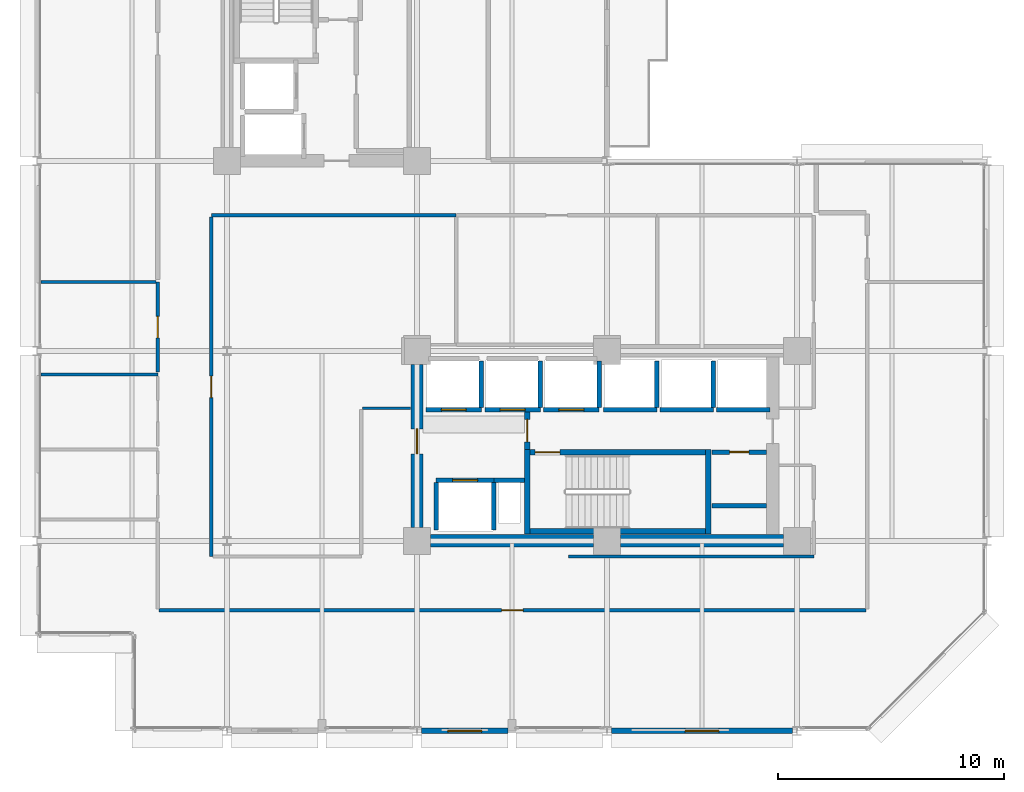
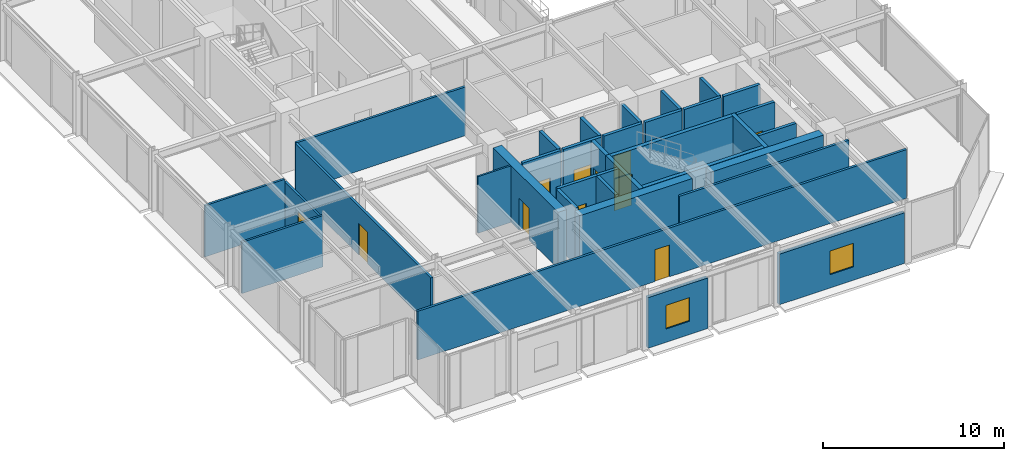
# One storey, part 24 of 30: 35 walls, 11 doors, 2 windows, 13 openings.
"""IFC4 building model written with IfcOpenShell, lengths in metres."""

from ifc_helpers import new_model, si_unit, direction, frame, frame_2d, origin, place, context, subcontext, project, spatial, rectangle, extrude, material, layer, layer_set, type_object, element, fill, save


model = new_model("IFC4")

# Units and contexts
model_context = context("Model", 3, precision=1e-05, world=origin(), true_north=direction((0.0, 1.0)))
body_context = subcontext(model_context, "Body", "Model", "MODEL_VIEW")
ifc_project = project(units=[si_unit("LENGTHUNIT", "METRE"), si_unit("AREAUNIT", "SQUARE_METRE"), si_unit("VOLUMEUNIT", "CUBIC_METRE"), si_unit("PLANEANGLEUNIT", "RADIAN"), si_unit("MASSUNIT", "GRAM", prefix="KILO")], contexts=[model_context])

# Site, building, storey
site_placement = place(None, origin())
site = spatial("IfcSite", under=ifc_project, at=site_placement, CompositionType="ELEMENT")
building_placement = place(site_placement, origin())
building = spatial("IfcBuilding", under=site, at=building_placement, Name="Nerrivon Quay Data Exchange", CompositionType="ELEMENT")
storey_placement = place(building_placement, frame((0.0, 0.0, 141.800048828125)))
storey = spatial("IfcBuildingStorey", under=building, at=storey_placement, Name="L33", CompositionType="ELEMENT", Elevation=141.800048828125)

# Wall, opening, window
ifc_material_1 = material(Name="Architectural terracotta precast concrete N50 (50 MPa)", Category="masonry")
ifc_layer_1 = layer(ifc_material_1, 0.239990234375)
ifc_layer_set_1 = layer_set([ifc_layer_1], Name="Architectural terracotta precast concrete N50 (50 MPa)")
wall_type_1 = type_object("IfcWallType", Name="EW-PREC-240", PredefinedType="STANDARD", material=ifc_layer_set_1)
wall_1_placement = place(storey_placement, frame((33.39990234375, 0.0, 0.0), z_axis=(0.0, 0.0, 1.0), x_axis=(-1.0, 0.0, 0.0)))
wall_1 = element("IfcWall", 1, at=wall_1_placement, inside=storey, type_object=wall_type_1, Name="L33 Podium Precast Spandrel Wall 3", PredefinedType="STANDARD", context=body_context, shape_type="SweptSolid", body=[
    extrude(rectangle(XDim=8.0, YDim=0.239990234375, at=frame_2d((4.0, 0.0))), origin(), (0.0, 0.0, 1.0), 3.421875),
])
opening_1_placement = place(wall_1_placement, frame((3.25, 0.0, 0.89990234375)))
opening_1 = element("IfcOpeningElement", 2, at=opening_1_placement, cuts=wall_1, Name="Opening WN4", PredefinedType="OPENING", context=body_context, shape_type="SweptSolid", body=[
    extrude(rectangle(XDim=1.5, YDim=1.60009765625, at=frame_2d((0.75, 0.800048828125))), frame((0.0, 0.1298828125, 0.0), z_axis=(0.0, -1.0, 0.0), x_axis=(1.0, 0.0, 0.0)), (0.0, 0.0, 1.0), 0.260009765625),
])
ifc_material_2 = material(Name="Double-glazed low-E solar control glass", Category="glass")
window_type = type_object("IfcWindowType", Name="WIN-W4-1500x1600", PartitioningType="SINGLE_PANEL", PredefinedType="WINDOW", material=ifc_material_2)
window_1_placement = place(opening_1_placement, origin())
window_1 = element("IfcWindow", 3, at=window_1_placement, inside=storey, type_object=window_type, Name="L33 Solar Facade Window 3", OverallHeight=1.60009765625, OverallWidth=1.5, PartitioningType="SINGLE_PANEL", PredefinedType="WINDOW", context=body_context, shape_type="SweptSolid", body=[
    extrude(rectangle(XDim=1.5, YDim=1.60009765625, at=frame_2d((0.75, 0.800048828125))), frame((0.0, 0.030029296875, 0.0), z_axis=(0.0, -1.0, 0.0), x_axis=(1.0, 0.0, 0.0)), (0.0, 0.0, 1.0), 0.06005859375),
])
fill(opening_1, window_1)

wall_2_placement = place(storey_placement, frame((20.824951171875, 0.0, 0.0), z_axis=(0.0, 0.0, 1.0), x_axis=(-1.0, 0.0, 0.0)))
wall_2 = element("IfcWall", 4, at=wall_2_placement, inside=storey, type_object=wall_type_1, Name="L33 Podium Precast Spandrel Wall 5", PredefinedType="STANDARD", context=body_context, shape_type="SweptSolid", body=[
    extrude(rectangle(XDim=3.824951171875, YDim=0.239990234375, at=frame_2d((1.91259765625, 0.0))), origin(), (0.0, 0.0, 1.0), 3.421875),
])
opening_2_placement = place(wall_2_placement, frame((1.16259765625, 0.0, 0.89990234375)))
opening_2 = element("IfcOpeningElement", 5, at=opening_2_placement, cuts=wall_2, Name="Opening WN4", PredefinedType="OPENING", context=body_context, shape_type="SweptSolid", body=[
    extrude(rectangle(XDim=1.5, YDim=1.60009765625, at=frame_2d((0.75, 0.800048828125))), frame((0.0, 0.1298828125, 0.0), z_axis=(0.0, -1.0, 0.0), x_axis=(1.0, 0.0, 0.0)), (0.0, 0.0, 1.0), 0.260009765625),
])
window_2_placement = place(opening_2_placement, origin())
window_2 = element("IfcWindow", 6, at=window_2_placement, inside=storey, type_object=window_type, Name="L33 Solar Facade Window 5", OverallHeight=1.60009765625, OverallWidth=1.5, PartitioningType="SINGLE_PANEL", PredefinedType="WINDOW", context=body_context, shape_type="SweptSolid", body=[
    extrude(rectangle(XDim=1.5, YDim=1.60009765625, at=frame_2d((0.75, 0.800048828125))), frame((0.0, 0.030029296875, 0.0), z_axis=(0.0, -1.0, 0.0), x_axis=(1.0, 0.0, 0.0)), (0.0, 0.0, 1.0), 0.06005859375),
])
fill(opening_2, window_2)

# Walls
ifc_material_3 = material(Name="Concrete S65 (65 MPa)", Category="concrete")
ifc_layer_2 = layer(ifc_material_3, 0.550048828125)
ifc_layer_set_2 = layer_set([ifc_layer_2], Name="Concrete S65 (65 MPa)")
wall_type_2 = type_object("IfcWallType", Name="WALL-CW-700", PredefinedType="SHEAR", material=ifc_layer_set_2)
wall_3_placement = place(storey_placement, frame((17.39990234375, 8.39990234375, 0.0), z_axis=(0.0, 0.0, 1.0), x_axis=(1.0, 0.0, 0.0)))
element("IfcWall", 7, at=wall_3_placement, inside=storey, type_object=wall_type_2, Name="L33 East Split-Core Shear Wall ECW-S1", PredefinedType="SHEAR", context=body_context, shape_type="SweptSolid", body=[
    extrude(rectangle(XDim=7.2001953125, YDim=0.550048828125, at=frame_2d((3.60009765625, 0.0))), origin(), (0.0, 0.0, 1.0), 3.824951171875),
])
wall_4_placement = place(storey_placement, frame((25.800048828125, 8.39990234375, 0.0), z_axis=(0.0, 0.0, 1.0), x_axis=(1.0, 0.0, 0.0)))
element("IfcWall", 8, at=wall_4_placement, inside=storey, type_object=wall_type_2, Name="L33 East Split-Core Shear Wall ECW-S2", PredefinedType="SHEAR", context=body_context, shape_type="SweptSolid", body=[
    extrude(rectangle(XDim=7.199951171875, YDim=0.550048828125, at=frame_2d((3.60009765625, 0.0))), origin(), (0.0, 0.0, 1.0), 3.824951171875),
])

# Wall, opening, door
wall_5_placement = place(storey_placement, frame((16.800048828125, 9.0, 0.0), z_axis=(0.0, 0.0, 1.0), x_axis=(0.0, 1.0, 0.0)))
wall_5 = element("IfcWall", 9, at=wall_5_placement, inside=storey, type_object=wall_type_2, Name="L33 East Split-Core Shear Wall ECW-W1", PredefinedType="SHEAR", context=body_context, shape_type="SweptSolid", body=[
    extrude(rectangle(XDim=7.199951171875, YDim=0.550048828125, at=frame_2d((3.60009765625, 0.0))), origin(), (0.0, 0.0, 1.0), 3.824951171875),
])
opening_3_placement = place(wall_5_placement, frame((3.25, 0.0, 0.0)))
opening_3 = element("IfcOpeningElement", 10, at=opening_3_placement, cuts=wall_5, Name="Opening FD-120", PredefinedType="OPENING", context=body_context, shape_type="SweptSolid", body=[
    extrude(rectangle(XDim=1.10009765625, YDim=2.14990234375, at=frame_2d((0.550048828125, 1.074951171875))), frame((0.0, 0.284912109375, 0.0), z_axis=(0.0, -1.0, 0.0), x_axis=(1.0, 0.0, 0.0)), (0.0, 0.0, 1.0), 0.570068359375),
])
ifc_material_4 = material(Name="Powder-coated galvanized steel sheet", Category="steel")
door_type_1 = type_object("IfcDoorType", Name="DR-FD120-1100", OperationType="NOTDEFINED", PredefinedType="DOOR", material=ifc_material_4)
door_1_placement = place(opening_3_placement, origin())
door_1 = element("IfcDoor", 11, at=door_1_placement, inside=storey, type_object=door_type_1, Name="L33 East Core Lobby Fire Door", OperationType="SINGLE_SWING_RIGHT", OverallHeight=2.14990234375, OverallWidth=1.10009765625, PredefinedType="DOOR", context=body_context, shape_type="SweptSolid", body=[
    extrude(rectangle(XDim=1.10009765625, YDim=2.14990234375, at=frame_2d((0.550048828125, 1.074951171875))), frame((0.0, 0.02490234375, 0.0), z_axis=(0.0, -1.0, 0.0), x_axis=(1.0, 0.0, 0.0)), (0.0, 0.0, 1.0), 0.050048828125),
])
fill(opening_3, door_1)

# Wall
ifc_material_5 = material(Name="Gypsum plasterboard on cold-formed framing", Category="gypsum")
ifc_layer_3 = layer(ifc_material_5, 0.199951171875)
ifc_layer_set_3 = layer_set([ifc_layer_3], Name="Gypsum plasterboard on cold-formed framing")
wall_type_3 = type_object("IfcWallType", Name="WALL-FW-200", PredefinedType="PARTITIONING", material=ifc_layer_set_3)
wall_6_placement = place(storey_placement, frame((20.199951171875, 11.080078125, 0.0), z_axis=(0.0, 0.0, 1.0), x_axis=(1.0, 0.0, 0.0)))
element("IfcWall", 12, at=wall_6_placement, inside=storey, type_object=wall_type_3, Name="L33 East Core MEP Riser Shaft Wall N", PredefinedType="PARTITIONING", context=body_context, shape_type="SweptSolid", body=[
    extrude(rectangle(XDim=1.35009765625, YDim=0.199951171875, at=frame_2d((0.675048828125, 0.0))), origin(), (0.0, 0.0, 1.0), 3.824951171875),
])

# Wall, opening, door
wall_7_placement = place(storey_placement, frame((17.64990234375, 11.080078125, 0.0), z_axis=(0.0, 0.0, 1.0), x_axis=(1.0, 0.0, 0.0)))
wall_7 = element("IfcWall", 13, at=wall_7_placement, inside=storey, type_object=wall_type_3, Name="L33 Lift Front Wall FFL-2", PredefinedType="PARTITIONING", context=body_context, shape_type="SweptSolid", body=[
    extrude(rectangle(XDim=2.550048828125, YDim=0.199951171875, at=frame_2d((1.27490234375, 0.0))), origin(), (0.0, 0.0, 1.0), 3.824951171875),
])
opening_4_placement = place(wall_7_placement, frame((0.72509765625, 0.0, 0.0)))
opening_4 = element("IfcOpeningElement", 14, at=opening_4_placement, cuts=wall_7, Name="Opening LD-120", PredefinedType="OPENING", context=body_context, shape_type="SweptSolid", body=[
    extrude(rectangle(XDim=1.10009765625, YDim=2.199951171875, at=frame_2d((0.550048828125, 1.10009765625))), frame((0.0, 0.10986328125, 0.0), z_axis=(0.0, -1.0, 0.0), x_axis=(1.0, 0.0, 0.0)), (0.0, 0.0, 1.0), 0.219970703125),
])
door_type_2 = type_object("IfcDoorType", Name="DR-LIFT-LD120", OperationType="DOUBLE_DOOR_SLIDING", PredefinedType="DOOR", material=ifc_material_4)
door_2_placement = place(opening_4_placement, origin())
door_2 = element("IfcDoor", 15, at=door_2_placement, inside=storey, type_object=door_type_2, Name="L33 Lift Landing Sliding Door FFL-2", OperationType="DOUBLE_DOOR_SLIDING", OverallHeight=2.199951171875, OverallWidth=1.10009765625, PredefinedType="DOOR", context=body_context, shape_type="SweptSolid", body=[
    extrude(rectangle(XDim=1.10009765625, YDim=2.199951171875, at=frame_2d((0.550048828125, 1.10009765625))), frame((0.0, 0.02490234375, 0.0), z_axis=(0.0, -1.0, 0.0), x_axis=(1.0, 0.0, 0.0)), (0.0, 0.0, 1.0), 0.050048828125),
])
fill(opening_4, door_2)

# Walls
for number, where, z_axis, x_axis, name in (
    (16, (20.199951171875, 8.8798828125, 0.0), (0.0, 0.0, 1.0), (0.0, 1.0, 0.0), "L33 Lift Shaft Wall FFL-2 EAST"),
    (17, (17.64990234375, 8.8798828125, 0.0), (0.0, 0.0, 1.0), (0.0, 1.0, 0.0), "L33 Lift Shaft Wall FFL-2 WEST"),
):
    element("IfcWall", number, at=place(storey_placement, frame(where, z_axis=z_axis, x_axis=x_axis)), inside=storey, type_object=wall_type_3, Name=name, PredefinedType="PARTITIONING", context=body_context, shape_type="SweptSolid", body=[
        extrude(rectangle(XDim=2.10009765625, YDim=0.199951171875, at=frame_2d((1.050048828125, 0.0))), origin(), (0.0, 0.0, 1.0), 3.824951171875),
    ])

# Wall, opening, door
wall_8_placement = place(storey_placement, frame((17.199951171875, 14.199951171875, 0.0), z_axis=(0.0, 0.0, 1.0), x_axis=(1.0, 0.0, 0.0)))
wall_8 = element("IfcWall", 18, at=wall_8_placement, inside=storey, type_object=wall_type_3, Name="L33 Lift Front Wall PL4", PredefinedType="PARTITIONING", context=body_context, shape_type="SweptSolid", body=[
    extrude(rectangle(XDim=2.449951171875, YDim=0.199951171875, at=frame_2d((1.22509765625, 0.0))), origin(), (0.0, 0.0, 1.0), 3.824951171875),
])
opening_5_placement = place(wall_8_placement, frame((0.675048828125, 0.0, 0.0)))
opening_5 = element("IfcOpeningElement", 19, at=opening_5_placement, cuts=wall_8, Name="Opening LD-120", PredefinedType="OPENING", context=body_context, shape_type="SweptSolid", body=[
    extrude(rectangle(XDim=1.10009765625, YDim=2.199951171875, at=frame_2d((0.550048828125, 1.10009765625))), frame((0.0, 0.10986328125, 0.0), z_axis=(0.0, -1.0, 0.0), x_axis=(1.0, 0.0, 0.0)), (0.0, 0.0, 1.0), 0.219970703125),
])
door_3_placement = place(opening_5_placement, origin())
door_3 = element("IfcDoor", 20, at=door_3_placement, inside=storey, type_object=door_type_2, Name="L33 Lift Landing Sliding Door PL4", OperationType="DOUBLE_DOOR_SLIDING", OverallHeight=2.199951171875, OverallWidth=1.10009765625, PredefinedType="DOOR", context=body_context, shape_type="SweptSolid", body=[
    extrude(rectangle(XDim=1.10009765625, YDim=2.199951171875, at=frame_2d((0.550048828125, 1.10009765625))), frame((0.0, 0.02490234375, 0.0), z_axis=(0.0, -1.0, 0.0), x_axis=(1.0, 0.0, 0.0)), (0.0, 0.0, 1.0), 0.050048828125),
])
fill(opening_5, door_3)

# Wall
wall_9_placement = place(storey_placement, frame((19.64990234375, 14.300048828125, 0.0), z_axis=(0.0, 0.0, 1.0), x_axis=(0.0, 1.0, 0.0)))
element("IfcWall", 21, at=wall_9_placement, inside=storey, type_object=wall_type_3, Name="L33 Lift Shaft Wall PL4 EAST", PredefinedType="PARTITIONING", context=body_context, shape_type="SweptSolid", body=[
    extrude(rectangle(XDim=2.050048828125, YDim=0.199951171875, at=frame_2d((1.02490234375, 0.0))), origin(), (0.0, 0.0, 1.0), 3.824951171875),
])

# Wall, opening, door
wall_10_placement = place(storey_placement, frame((19.800048828125, 14.199951171875, 0.0), z_axis=(0.0, 0.0, 1.0), x_axis=(1.0, 0.0, 0.0)))
wall_10 = element("IfcWall", 22, at=wall_10_placement, inside=storey, type_object=wall_type_3, Name="L33 Lift Front Wall PL5", PredefinedType="PARTITIONING", context=body_context, shape_type="SweptSolid", body=[
    extrude(rectangle(XDim=2.449951171875, YDim=0.199951171875, at=frame_2d((1.22509765625, 0.0))), origin(), (0.0, 0.0, 1.0), 3.824951171875),
])
opening_6_placement = place(wall_10_placement, frame((0.675048828125, 0.0, 0.0)))
opening_6 = element("IfcOpeningElement", 23, at=opening_6_placement, cuts=wall_10, Name="Opening LD-120", PredefinedType="OPENING", context=body_context, shape_type="SweptSolid", body=[
    extrude(rectangle(XDim=1.10009765625, YDim=2.199951171875, at=frame_2d((0.550048828125, 1.10009765625))), frame((0.0, 0.10986328125, 0.0), z_axis=(0.0, -1.0, 0.0), x_axis=(1.0, 0.0, 0.0)), (0.0, 0.0, 1.0), 0.219970703125),
])
door_4_placement = place(opening_6_placement, origin())
door_4 = element("IfcDoor", 24, at=door_4_placement, inside=storey, type_object=door_type_2, Name="L33 Lift Landing Sliding Door PL5", OperationType="DOUBLE_DOOR_SLIDING", OverallHeight=2.199951171875, OverallWidth=1.10009765625, PredefinedType="DOOR", context=body_context, shape_type="SweptSolid", body=[
    extrude(rectangle(XDim=1.10009765625, YDim=2.199951171875, at=frame_2d((0.550048828125, 1.10009765625))), frame((0.0, 0.02490234375, 0.0), z_axis=(0.0, -1.0, 0.0), x_axis=(1.0, 0.0, 0.0)), (0.0, 0.0, 1.0), 0.050048828125),
])
fill(opening_6, door_4)

# Wall
wall_11_placement = place(storey_placement, frame((22.25, 14.300048828125, 0.0), z_axis=(0.0, 0.0, 1.0), x_axis=(0.0, 1.0, 0.0)))
element("IfcWall", 25, at=wall_11_placement, inside=storey, type_object=wall_type_3, Name="L33 Lift Shaft Wall PL5 EAST", PredefinedType="PARTITIONING", context=body_context, shape_type="SweptSolid", body=[
    extrude(rectangle(XDim=2.050048828125, YDim=0.199951171875, at=frame_2d((1.02490234375, 0.0))), origin(), (0.0, 0.0, 1.0), 3.824951171875),
])

# Wall, opening, door
wall_12_placement = place(storey_placement, frame((22.39990234375, 14.199951171875, 0.0), z_axis=(0.0, 0.0, 1.0), x_axis=(1.0, 0.0, 0.0)))
wall_12 = element("IfcWall", 26, at=wall_12_placement, inside=storey, type_object=wall_type_3, Name="L33 Lift Front Wall PL6", PredefinedType="PARTITIONING", context=body_context, shape_type="SweptSolid", body=[
    extrude(rectangle(XDim=2.4501953125, YDim=0.199951171875, at=frame_2d((1.22509765625, 0.0))), origin(), (0.0, 0.0, 1.0), 3.824951171875),
])
opening_7_placement = place(wall_12_placement, frame((0.675048828125, 0.0, 0.0)))
opening_7 = element("IfcOpeningElement", 27, at=opening_7_placement, cuts=wall_12, Name="Opening LD-120", PredefinedType="OPENING", context=body_context, shape_type="SweptSolid", body=[
    extrude(rectangle(XDim=1.10009765625, YDim=2.199951171875, at=frame_2d((0.550048828125, 1.10009765625))), frame((0.0, 0.10986328125, 0.0), z_axis=(0.0, -1.0, 0.0), x_axis=(1.0, 0.0, 0.0)), (0.0, 0.0, 1.0), 0.219970703125),
])
door_5_placement = place(opening_7_placement, origin())
door_5 = element("IfcDoor", 28, at=door_5_placement, inside=storey, type_object=door_type_2, Name="L33 Lift Landing Sliding Door PL6", OperationType="DOUBLE_DOOR_SLIDING", OverallHeight=2.199951171875, OverallWidth=1.10009765625, PredefinedType="DOOR", context=body_context, shape_type="SweptSolid", body=[
    extrude(rectangle(XDim=1.10009765625, YDim=2.199951171875, at=frame_2d((0.550048828125, 1.10009765625))), frame((0.0, 0.02490234375, 0.0), z_axis=(0.0, -1.0, 0.0), x_axis=(1.0, 0.0, 0.0)), (0.0, 0.0, 1.0), 0.050048828125),
])
fill(opening_7, door_5)

# Walls
wall_13_placement = place(storey_placement, frame((24.85009765625, 14.300048828125, 0.0), z_axis=(0.0, 0.0, 1.0), x_axis=(0.0, 1.0, 0.0)))
element("IfcWall", 29, at=wall_13_placement, inside=storey, type_object=wall_type_3, Name="L33 Lift Shaft Wall PL6 EAST", PredefinedType="PARTITIONING", context=body_context, shape_type="SweptSolid", body=[
    extrude(rectangle(XDim=2.050048828125, YDim=0.199951171875, at=frame_2d((1.02490234375, 0.0))), origin(), (0.0, 0.0, 1.0), 3.824951171875),
])
wall_14_placement = place(storey_placement, frame((25.050048828125, 14.199951171875, 0.0), z_axis=(0.0, 0.0, 1.0), x_axis=(1.0, 0.0, 0.0)))
element("IfcWall", 30, at=wall_14_placement, inside=storey, type_object=wall_type_3, Name="L33 Lift Front Wall PL7", PredefinedType="PARTITIONING", context=body_context, shape_type="SweptSolid", body=[
    extrude(rectangle(XDim=2.349853515625, YDim=0.199951171875, at=frame_2d((1.1748046875, 0.0))), origin(), (0.0, 0.0, 1.0), 3.824951171875),
])
wall_15_placement = place(storey_placement, frame((27.39990234375, 14.300048828125, 0.0), z_axis=(0.0, 0.0, 1.0), x_axis=(0.0, 1.0, 0.0)))
element("IfcWall", 31, at=wall_15_placement, inside=storey, type_object=wall_type_3, Name="L33 Lift Shaft Wall PL7 EAST", PredefinedType="PARTITIONING", context=body_context, shape_type="SweptSolid", body=[
    extrude(rectangle(XDim=2.050048828125, YDim=0.199951171875, at=frame_2d((1.02490234375, 0.0))), origin(), (0.0, 0.0, 1.0), 3.824951171875),
])
wall_16_placement = place(storey_placement, frame((27.550048828125, 14.199951171875, 0.0), z_axis=(0.0, 0.0, 1.0), x_axis=(1.0, 0.0, 0.0)))
element("IfcWall", 32, at=wall_16_placement, inside=storey, type_object=wall_type_3, Name="L33 Lift Front Wall PL8", PredefinedType="PARTITIONING", context=body_context, shape_type="SweptSolid", body=[
    extrude(rectangle(XDim=2.349853515625, YDim=0.199951171875, at=frame_2d((1.1748046875, 0.0))), origin(), (0.0, 0.0, 1.0), 3.824951171875),
])
wall_17_placement = place(storey_placement, frame((29.89990234375, 14.300048828125, 0.0), z_axis=(0.0, 0.0, 1.0), x_axis=(0.0, 1.0, 0.0)))
element("IfcWall", 33, at=wall_17_placement, inside=storey, type_object=wall_type_3, Name="L33 Lift Shaft Wall PL8 EAST", PredefinedType="PARTITIONING", context=body_context, shape_type="SweptSolid", body=[
    extrude(rectangle(XDim=2.050048828125, YDim=0.199951171875, at=frame_2d((1.02490234375, 0.0))), origin(), (0.0, 0.0, 1.0), 3.824951171875),
])
wall_18_placement = place(storey_placement, frame((30.050048828125, 14.199951171875, 0.0), z_axis=(0.0, 0.0, 1.0), x_axis=(1.0, 0.0, 0.0)))
element("IfcWall", 34, at=wall_18_placement, inside=storey, type_object=wall_type_3, Name="L33 Lift Front Wall PL9", PredefinedType="PARTITIONING", context=body_context, shape_type="SweptSolid", body=[
    extrude(rectangle(XDim=2.349853515625, YDim=0.199951171875, at=frame_2d((1.1748046875, 0.0))), origin(), (0.0, 0.0, 1.0), 3.824951171875),
])

# Wall, opening, door
wall_19_placement = place(storey_placement, frame((32.24609375, 12.330078125, 0.0), z_axis=(0.0, 0.0, 1.0), x_axis=(-1.0, 0.0, 0.0)))
wall_19 = element("IfcWall", 35, at=wall_19_placement, inside=storey, type_object=wall_type_3, Name="L33 Partition East Supply Store", PredefinedType="PARTITIONING", context=body_context, shape_type="SweptSolid", body=[
    extrude(rectangle(XDim=2.39599609375, YDim=0.199951171875, at=frame_2d((1.197998046875, 0.0))), origin(), (0.0, 0.0, 1.0), 3.824951171875),
])
opening_8_placement = place(wall_19_placement, frame((0.77294921875, 0.0, 0.0)))
opening_8 = element("IfcOpeningElement", 36, at=opening_8_placement, cuts=wall_19, Name="Opening FD-60S", PredefinedType="OPENING", context=body_context, shape_type="SweptSolid", body=[
    extrude(rectangle(XDim=0.85009765625, YDim=2.14990234375, at=frame_2d((0.425048828125, 1.074951171875))), frame((0.0, 0.10986328125, 0.0), z_axis=(0.0, -1.0, 0.0), x_axis=(1.0, 0.0, 0.0)), (0.0, 0.0, 1.0), 0.219970703125),
])
ifc_material_6 = material(Name="Engineered hardwood timber", Category="wood")
door_type_3 = type_object("IfcDoorType", Name="DR-FD60-850", OperationType="NOTDEFINED", PredefinedType="DOOR", material=ifc_material_6)
door_6_placement = place(opening_8_placement, origin())
door_6 = element("IfcDoor", 37, at=door_6_placement, inside=storey, type_object=door_type_3, Name="L33 Door East Supply Store", OperationType="SINGLE_SWING_LEFT", OverallHeight=2.14990234375, OverallWidth=0.85009765625, PredefinedType="DOOR", context=body_context, shape_type="SweptSolid", body=[
    extrude(rectangle(XDim=0.85009765625, YDim=2.14990234375, at=frame_2d((0.425048828125, 1.074951171875))), frame((0.0, 0.02490234375, 0.0), z_axis=(0.0, -1.0, 0.0), x_axis=(1.0, 0.0, 0.0)), (0.0, 0.0, 1.0), 0.050048828125),
])
fill(opening_8, door_6)

# Walls
wall_20_placement = place(storey_placement, frame((29.85009765625, 9.949951171875, 0.0), z_axis=(0.0, 0.0, 1.0), x_axis=(1.0, 0.0, 0.0)))
element("IfcWall", 38, at=wall_20_placement, inside=storey, type_object=wall_type_3, Name="L33 Partition East Supply Store", PredefinedType="PARTITIONING", context=body_context, shape_type="SweptSolid", body=[
    extrude(rectangle(XDim=2.39599609375, YDim=0.199951171875, at=frame_2d((1.197998046875, 0.0))), origin(), (0.0, 0.0, 1.0), 3.824951171875),
])
ifc_layer_4 = layer(ifc_material_5, 0.1201171875)
ifc_layer_set_4 = layer_set([ifc_layer_4], Name="Gypsum plasterboard on cold-formed framing")
wall_type_4 = type_object("IfcWallType", Name="WALL-PT-120", PredefinedType="PARTITIONING", material=ifc_layer_set_4)
wall_21_placement = place(storey_placement, frame((14.39990234375, 14.260009765625, 0.0), z_axis=(0.0, 0.0, 1.0), x_axis=(1.0, 0.0, 0.0)))
element("IfcWall", 39, at=wall_21_placement, inside=storey, type_object=wall_type_4, Name="L33 Partition Peering Huddle Meeting Room", PredefinedType="PARTITIONING", context=body_context, shape_type="SweptSolid", body=[
    extrude(rectangle(XDim=2.12109375, YDim=0.1201171875, at=frame_2d((1.060546875, 0.0))), origin(), (0.0, 0.0, 1.0), 3.824951171875),
])
ifc_layer_5 = layer(ifc_material_5, 0.135009765625)
ifc_layer_set_5 = layer_set([ifc_layer_5], Name="Gypsum plasterboard on cold-formed framing")
wall_type_5 = type_object("IfcWallType", Name="WALL-PT-135", PredefinedType="PARTITIONING", material=ifc_layer_set_5)
wall_22_placement = place(storey_placement, frame((5.340087890625, 15.75, 0.0), z_axis=(0.0, 0.0, 1.0), x_axis=(-1.0, 0.0, 0.0)))
element("IfcWall", 40, at=wall_22_placement, inside=storey, type_object=wall_type_5, Name="L33 Partition Public Washrooms", PredefinedType="PARTITIONING", context=body_context, shape_type="SweptSolid", body=[
    extrude(rectangle(XDim=5.171142578125, YDim=0.135009765625, at=frame_2d((2.58544921875, 0.0))), origin(), (0.0, 0.0, 1.0), 3.468994140625),
])

# Wall, opening, door
wall_23_placement = place(storey_placement, frame((5.340087890625, 15.8701171875, 0.0), z_axis=(0.0, 0.0, 1.0), x_axis=(0.0, 1.0, 0.0)))
wall_23 = element("IfcWall", 41, at=wall_23_placement, inside=storey, type_object=wall_type_5, Name="L33 Partition Network Security Control", PredefinedType="PARTITIONING", context=body_context, shape_type="SweptSolid", body=[
    extrude(rectangle(XDim=3.97314453125, YDim=0.135009765625, at=frame_2d((1.986572265625, 0.0))), origin(), (0.0, 0.0, 1.0), 3.2919921875),
])
opening_9_placement = place(wall_23_placement, frame((1.51171875, 0.0, 0.0)))
opening_9 = element("IfcOpeningElement", 42, at=opening_9_placement, cuts=wall_23, Name="Opening D-01", PredefinedType="OPENING", context=body_context, shape_type="SweptSolid", body=[
    extrude(rectangle(XDim=0.949951171875, YDim=2.14990234375, at=frame_2d((0.47509765625, 1.074951171875))), frame((0.0, 0.077392578125, 0.0), z_axis=(0.0, -1.0, 0.0), x_axis=(1.0, 0.0, 0.0)), (0.0, 0.0, 1.0), 0.155029296875),
])
door_type_4 = type_object("IfcDoorType", Name="DR-INT-950", OperationType="NOTDEFINED", PredefinedType="DOOR", material=ifc_material_6)
door_7_placement = place(opening_9_placement, origin())
door_7 = element("IfcDoor", 43, at=door_7_placement, inside=storey, type_object=door_type_4, Name="L33 Door Network Security Control", OperationType="SINGLE_SWING_LEFT", OverallHeight=2.14990234375, OverallWidth=0.949951171875, PredefinedType="DOOR", context=body_context, shape_type="SweptSolid", body=[
    extrude(rectangle(XDim=0.949951171875, YDim=2.14990234375, at=frame_2d((0.47509765625, 1.074951171875))), frame((0.0, 0.02490234375, 0.0), z_axis=(0.0, -1.0, 0.0), x_axis=(1.0, 0.0, 0.0)), (0.0, 0.0, 1.0), 0.050048828125),
])
fill(opening_9, door_7)

# Walls
wall_24_placement = place(storey_placement, frame((5.2685546875, 19.84326171875, 0.0), z_axis=(0.0, 0.0, 1.0), x_axis=(-1.0, 0.0, 0.0)))
element("IfcWall", 44, at=wall_24_placement, inside=storey, type_object=wall_type_5, Name="L33 Partition Network Security Control", PredefinedType="PARTITIONING", context=body_context, shape_type="SweptSolid", body=[
    extrude(rectangle(XDim=5.099609375, YDim=0.135009765625, at=frame_2d((2.5498046875, 0.0))), origin(), (0.0, 0.0, 1.0), 3.468994140625),
])
ifc_layer_6 = layer(ifc_material_5, 0.14990234375)
ifc_layer_set_6 = layer_set([ifc_layer_6], Name="Gypsum plasterboard on cold-formed framing")
wall_type_6 = type_object("IfcWallType", Name="WALL-PT-150", PredefinedType="PARTITIONING", material=ifc_layer_set_6)
wall_25_placement = place(storey_placement, frame((23.50244140625, 7.7099609375, 0.0), z_axis=(0.0, 0.0, 1.0), x_axis=(1.0, 0.0, 0.0)))
element("IfcWall", 45, at=wall_25_placement, inside=storey, type_object=wall_type_6, Name="L33 Partition Staff Pantry", PredefinedType="PARTITIONING", context=body_context, shape_type="SweptSolid", body=[
    extrude(rectangle(XDim=10.837646484375, YDim=0.14990234375, at=frame_2d((5.4189453125, 0.0))), origin(), (0.0, 0.0, 1.0), 3.296875),
])
wall_26_placement = place(storey_placement, frame((18.51953125, 22.7900390625, 0.0), z_axis=(0.0, 0.0, 1.0), x_axis=(-1.0, 0.0, 0.0)))
element("IfcWall", 46, at=wall_26_placement, inside=storey, type_object=wall_type_6, Name="L33 Partition Peering Huddle Meeting Room", PredefinedType="PARTITIONING", context=body_context, shape_type="SweptSolid", body=[
    extrude(rectangle(XDim=10.8095703125, YDim=0.14990234375, at=frame_2d((5.40478515625, 0.0))), origin(), (0.0, 0.0, 1.0), 3.296875),
])

# Wall, opening, door
wall_27_placement = place(storey_placement, frame((7.7099609375, 22.7109375, 0.0), z_axis=(0.0, 0.0, 1.0), x_axis=(0.0, -1.0, 0.0)))
wall_27 = element("IfcWall", 47, at=wall_27_placement, inside=storey, type_object=wall_type_6, Name="L33 Partition Peering Huddle Meeting Room", PredefinedType="PARTITIONING", context=body_context, shape_type="SweptSolid", body=[
    extrude(rectangle(XDim=15.0009765625, YDim=0.14990234375, at=frame_2d((7.50048828125, 0.0))), origin(), (0.0, 0.0, 1.0), 3.2919921875),
])
opening_10_placement = place(wall_27_placement, frame((7.025390625, 0.0, 0.0)))
opening_10 = element("IfcOpeningElement", 48, at=opening_10_placement, cuts=wall_27, Name="Opening D-01", PredefinedType="OPENING", context=body_context, shape_type="SweptSolid", body=[
    extrude(rectangle(XDim=0.949951171875, YDim=2.14990234375, at=frame_2d((0.47509765625, 1.074951171875))), frame((0.0, 0.0849609375, 0.0), z_axis=(0.0, -1.0, 0.0), x_axis=(1.0, 0.0, 0.0)), (0.0, 0.0, 1.0), 0.169921875),
])
door_8_placement = place(opening_10_placement, origin())
door_8 = element("IfcDoor", 49, at=door_8_placement, inside=storey, type_object=door_type_4, Name="L33 Door Peering Huddle Meeting Room", OperationType="SINGLE_SWING_RIGHT", OverallHeight=2.14990234375, OverallWidth=0.949951171875, PredefinedType="DOOR", context=body_context, shape_type="SweptSolid", body=[
    extrude(rectangle(XDim=0.949951171875, YDim=2.14990234375, at=frame_2d((0.47509765625, 1.074951171875))), frame((0.0, 0.02490234375, 0.0), z_axis=(0.0, -1.0, 0.0), x_axis=(1.0, 0.0, 0.0)), (0.0, 0.0, 1.0), 0.050048828125),
])
fill(opening_10, door_8)

wall_28_placement = place(storey_placement, frame((36.64990234375, 5.340087890625, 0.0), z_axis=(0.0, 0.0, 1.0), x_axis=(-0.999999999969, 7.811035e-06, 0.0)))
wall_28 = element("IfcWall", 50, at=wall_28_placement, inside=storey, type_object=wall_type_6, Name="L33 Partition Technical Library", PredefinedType="PARTITIONING", context=body_context, shape_type="SweptSolid", body=[
    extrude(rectangle(XDim=31.255859375, YDim=0.14990234375, at=frame_2d((15.6279296875, 0.0))), origin(), (0.0, 0.0, 1.0), 3.296875),
])
opening_11_placement = place(wall_28_placement, frame((15.153076171875, 0.0, 0.0)))
opening_11 = element("IfcOpeningElement", 51, at=opening_11_placement, cuts=wall_28, Name="Opening D-01", PredefinedType="OPENING", context=body_context, shape_type="SweptSolid", body=[
    extrude(rectangle(XDim=0.949951171875, YDim=2.14990234375, at=frame_2d((0.47509765625, 1.074951171875))), frame((0.0, 0.0849609375, 0.0), z_axis=(0.0, -1.0, 0.0), x_axis=(1.0, 0.0, 0.0)), (0.0, 0.0, 1.0), 0.169921875),
])
door_9_placement = place(opening_11_placement, origin())
door_9 = element("IfcDoor", 52, at=door_9_placement, inside=storey, type_object=door_type_4, Name="L33 Door Technical Library", OperationType="SINGLE_SWING_LEFT", OverallHeight=2.14990234375, OverallWidth=0.949951171875, PredefinedType="DOOR", context=body_context, shape_type="SweptSolid", body=[
    extrude(rectangle(XDim=0.949951171875, YDim=2.14990234375, at=frame_2d((0.47509765625, 1.074951171875))), frame((0.0, 0.02490234375, 0.0), z_axis=(0.0, -1.0, 0.0), x_axis=(1.0, 0.0, 0.0)), (0.0, 0.0, 1.0), 0.050048828125),
])
fill(opening_11, door_9)

# Walls
ifc_material_7 = material(Name="Concrete N50 (50 MPa)", Category="concrete")
ifc_layer_7 = layer(ifc_material_7, 0.25)
ifc_layer_set_7 = layer_set([ifc_layer_7], Name="Concrete N50 (50 MPa)")
wall_type_7 = type_object("IfcWallType", Name="WALL-SW-250", PredefinedType="SHEAR", material=ifc_layer_set_7)
for number, where, z_axis, x_axis, name in (
    (53, (21.675048828125, 8.699951171875, 0.0), (0.0, 0.0, 1.0), (0.0, 1.0, 0.0), "L33 ST02 Structural Stair Core Wall NEAR"),
    (54, (29.675048828125, 8.699951171875, 0.0), (0.0, 0.0, 1.0), (0.0, 1.0, 0.0), "L33 ST02 Structural Stair Core Wall FAR"),
):
    element("IfcWall", number, at=place(storey_placement, frame(where, z_axis=z_axis, x_axis=x_axis)), inside=storey, type_object=wall_type_7, Name=name, PredefinedType="SHEAR", context=body_context, shape_type="SweptSolid", body=[
        extrude(rectangle(XDim=3.75, YDim=0.25, at=frame_2d((1.875, 0.0))), origin(), (0.0, 0.0, 1.0), 3.824951171875),
    ])
wall_29_placement = place(storey_placement, frame((21.800048828125, 8.824951171875, 0.0), z_axis=(0.0, 0.0, 1.0), x_axis=(1.0, 0.0, 0.0)))
element("IfcWall", 55, at=wall_29_placement, inside=storey, type_object=wall_type_7, Name="L33 ST02 Structural Stair Core Wall LEFT", PredefinedType="SHEAR", context=body_context, shape_type="SweptSolid", body=[
    extrude(rectangle(XDim=7.75, YDim=0.25, at=frame_2d((3.875, 0.0))), origin(), (0.0, 0.0, 1.0), 3.824951171875),
])

# Wall, opening, door
wall_30_placement = place(storey_placement, frame((21.800048828125, 12.324951171875, 0.0), z_axis=(0.0, 0.0, 1.0), x_axis=(1.0, 0.0, 0.0)))
wall_30 = element("IfcWall", 56, at=wall_30_placement, inside=storey, type_object=wall_type_7, Name="L33 ST02 Structural Stair Core Wall RIGHT", PredefinedType="SHEAR", context=body_context, shape_type="SweptSolid", body=[
    extrude(rectangle(XDim=7.75, YDim=0.25, at=frame_2d((3.875, 0.0))), origin(), (0.0, 0.0, 1.0), 3.824951171875),
])
opening_12_placement = place(wall_30_placement, frame((0.219970703125, 0.0, 0.0)))
opening_12 = element("IfcOpeningElement", 57, at=opening_12_placement, cuts=wall_30, Name="Opening FD-120", PredefinedType="OPENING", context=body_context, shape_type="SweptSolid", body=[
    extrude(rectangle(XDim=1.10009765625, YDim=2.14990234375, at=frame_2d((0.550048828125, 1.074951171875))), frame((0.0, 0.135009765625, 0.0), z_axis=(0.0, -1.0, 0.0), x_axis=(1.0, 0.0, 0.0)), (0.0, 0.0, 1.0), 0.27001953125),
])
door_10_placement = place(opening_12_placement, origin())
door_10 = element("IfcDoor", 58, at=door_10_placement, inside=storey, type_object=door_type_1, Name="L33 Protected Stair Door ST02", OperationType="SINGLE_SWING_RIGHT", OverallHeight=2.14990234375, OverallWidth=1.10009765625, PredefinedType="DOOR", context=body_context, shape_type="SweptSolid", body=[
    extrude(rectangle(XDim=1.10009765625, YDim=2.14990234375, at=frame_2d((0.550048828125, 1.074951171875))), frame((0.0, 0.02490234375, 0.0), z_axis=(0.0, -1.0, 0.0), x_axis=(1.0, 0.0, 0.0)), (0.0, 0.0, 1.0), 0.050048828125),
])
fill(opening_12, door_10)

wall_31_placement = place(storey_placement, frame((21.679931640625, 12.449951171875, 0.0), z_axis=(0.0, 0.0, 1.0), x_axis=(0.0, 1.0, 0.0)))
wall_31 = element("IfcWall", 59, at=wall_31_placement, inside=storey, type_object=wall_type_7, Name="L33 East Firefighting Lobby Wall", PredefinedType="SHEAR", context=body_context, shape_type="SweptSolid", body=[
    extrude(rectangle(XDim=1.650146484375, YDim=0.25, at=frame_2d((0.8251953125, 0.0))), origin(), (0.0, 0.0, 1.0), 3.824951171875),
])
opening_13_placement = place(wall_31_placement, frame((0.324951171875, 0.0, 0.0)))
opening_13 = element("IfcOpeningElement", 60, at=opening_13_placement, cuts=wall_31, Name="Opening FD-60", PredefinedType="OPENING", context=body_context, shape_type="SweptSolid", body=[
    extrude(rectangle(XDim=1.0, YDim=2.14990234375, at=frame_2d((0.5, 1.074951171875))), frame((0.0, 0.135009765625, 0.0), z_axis=(0.0, -1.0, 0.0), x_axis=(1.0, 0.0, 0.0)), (0.0, 0.0, 1.0), 0.27001953125),
])
door_type_5 = type_object("IfcDoorType", Name="DR-FD60-1000", OperationType="NOTDEFINED", PredefinedType="DOOR", material=ifc_material_6)
door_11_placement = place(opening_13_placement, origin())
door_11 = element("IfcDoor", 61, at=door_11_placement, inside=storey, type_object=door_type_5, Name="L33 East Firefighting Lobby Fire Door", OperationType="SINGLE_SWING_RIGHT", OverallHeight=2.14990234375, OverallWidth=1.0, PredefinedType="DOOR", context=body_context, shape_type="SweptSolid", body=[
    extrude(rectangle(XDim=1.0, YDim=2.14990234375, at=frame_2d((0.5, 1.074951171875))), frame((0.0, 0.02490234375, 0.0), z_axis=(0.0, -1.0, 0.0), x_axis=(1.0, 0.0, 0.0)), (0.0, 0.0, 1.0), 0.050048828125),
])
fill(opening_13, door_11)

save(model, "model.ifc")
